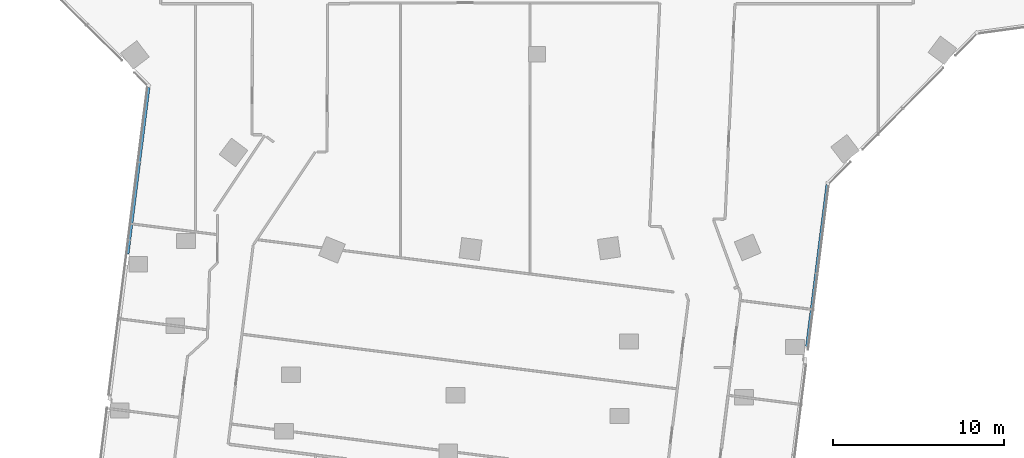
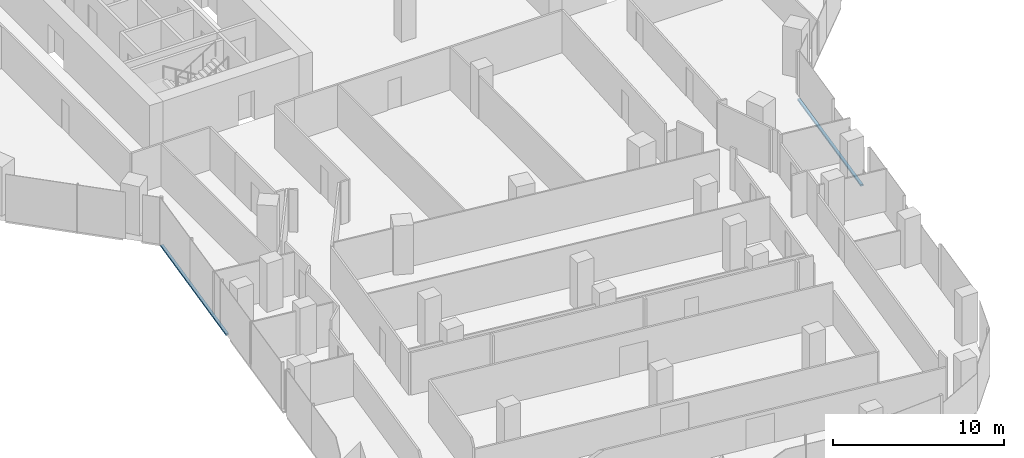
# One storey, part 5 of 27: 2 members, 2 elements without a shape of their own.
"""IFC4 building model written with IfcOpenShell, lengths in metres."""

from ifc_helpers import new_model, si_unit, direction, frame, origin, origin_2d, place, context, subcontext, project, spatial, rectangle, extrude, material, material_profile, profile_set, type_object, element, aggregate, save


model = new_model("IFC4")

# Units and contexts
model_context = context("Model", 3, precision=1e-05, world=origin(), true_north=direction((0.0, 1.0)))
body_context = subcontext(model_context, "Body", "Model", "MODEL_VIEW")
ifc_project = project(units=[si_unit("LENGTHUNIT", "METRE"), si_unit("AREAUNIT", "SQUARE_METRE"), si_unit("VOLUMEUNIT", "CUBIC_METRE"), si_unit("PLANEANGLEUNIT", "RADIAN"), si_unit("MASSUNIT", "GRAM", prefix="KILO")], contexts=[model_context])

# Site, building, storey
site_placement = place(None, origin())
site = spatial("IfcSite", under=ifc_project, at=site_placement, CompositionType="ELEMENT")
building_placement = place(site_placement, origin())
building = spatial("IfcBuilding", under=site, at=building_placement, Name="Orlundy Tower", CompositionType="ELEMENT")
storey_placement = place(building_placement, frame((0.0, 0.0, 202.60009765625)))
storey = spatial("IfcBuildingStorey", under=building, at=storey_placement, Name="L53", CompositionType="ELEMENT", Elevation=202.60009765625)

# Curtain wall, member
ifc_material_1 = material(Name="Aluminium bronze anodised", Category="aluminium")
curtain_wall_type = type_object("IfcCurtainWallType", Name="CW1 wall", PredefinedType="NOTDEFINED", material=ifc_material_1)
curtain_wall_1_placement = place(storey_placement, origin())
curtain_wall_1 = element("IfcCurtainWall", 1, at=curtain_wall_1_placement, inside=storey, type_object=curtain_wall_type, Name="CW1 run 00", PredefinedType="NOTDEFINED")
ifc_material_2 = material(Name="Aluminium bronze anodised", Category="aluminium")
ifc_material_profile = material_profile(ifc_material_2, rectangle(XDim=0.179931640625, YDim=0.1201171875, at=origin_2d()), Name="CW1 transom 180x120")
ifc_profile_set = profile_set([ifc_material_profile], Name="Aluminium bronze anodised")
member_type = type_object("IfcMemberType", Name="CW1 transom 180x120", PredefinedType="USERDEFINED", material=ifc_profile_set)
member_1_placement = place(storey_placement, frame((-23.98583984375, -29.721923828125, -0.360107421875), z_axis=(0.124763301609, 0.992186534162, 0.0), x_axis=(-0.992186534162, 0.124763301609, 0.0)))
member_1 = element("IfcMember", 2, at=member_1_placement, type_object=member_type, Name="CW1 transom", ObjectType="TRANSOM", PredefinedType="USERDEFINED", context=body_context, shape_type="SweptSolid", body=[
    extrude(rectangle(XDim=0.179931640625, YDim=0.1201171875, at=origin_2d()), origin(), (0.0, 0.0, 1.0), 9.8564453125),
])
aggregate(curtain_wall_1, [member_1])

curtain_wall_2_placement = place(storey_placement, origin())
curtain_wall_2 = element("IfcCurtainWall", 3, at=curtain_wall_2_placement, inside=storey, type_object=curtain_wall_type, Name="CW1 run 018", PredefinedType="NOTDEFINED")
member_2_placement = place(storey_placement, frame((17.021240234375, -25.660888671875, -0.360107421875), z_axis=(-0.124736970208, -0.99218984487, 0.0), x_axis=(0.99218984487, -0.124736970208, 0.0)))
member_2 = element("IfcMember", 4, at=member_2_placement, type_object=member_type, Name="CW1 transom", ObjectType="TRANSOM", PredefinedType="USERDEFINED", context=body_context, shape_type="SweptSolid", body=[
    extrude(rectangle(XDim=0.179931640625, YDim=0.1201171875, at=origin_2d()), origin(), (0.0, 0.0, 1.0), 9.54150390625),
])
aggregate(curtain_wall_2, [member_2])

save(model, "model.ifc")
